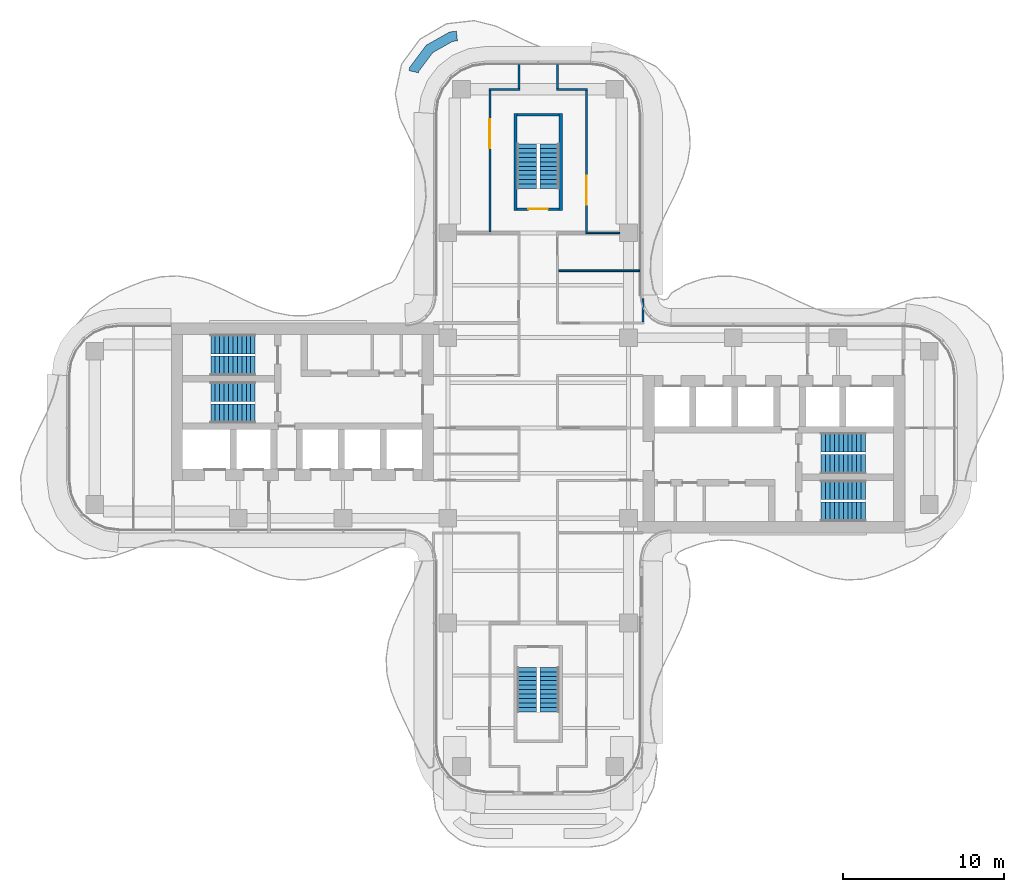
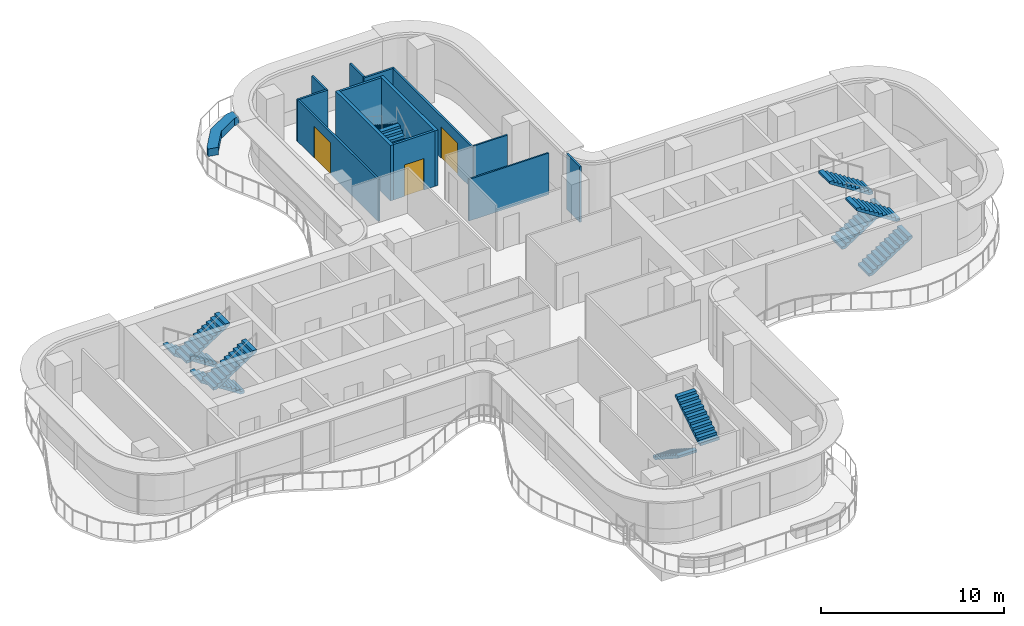
# One storey, part 15 of 17: 14 walls, 12 stair flights, 3 doors, 3 openings, 6 elements without a shape of their own.
"""IFC4 building model written with IfcOpenShell, lengths in metres."""

from ifc_helpers import new_model, si_unit, direction, frame, frame_2d, origin, place, context, subcontext, project, spatial, polyline, rectangle, outline, extrude, source, transform, mapped, material, layer, layer_set, type_object, element, fill, aggregate, save


model = new_model("IFC4")

# Units and contexts
model_context = context("Model", 3, precision=1e-05, world=origin(), true_north=direction((0.0, 1.0)))
body_context = subcontext(model_context, "Body", "Model", "MODEL_VIEW")
ifc_project = project(units=[si_unit("LENGTHUNIT", "METRE"), si_unit("AREAUNIT", "SQUARE_METRE"), si_unit("VOLUMEUNIT", "CUBIC_METRE"), si_unit("PLANEANGLEUNIT", "RADIAN"), si_unit("MASSUNIT", "GRAM", prefix="KILO")], contexts=[model_context])

# Site, building, storey
site_placement = place(None, origin())
site = spatial("IfcSite", under=ifc_project, at=site_placement, CompositionType="ELEMENT")
building_placement = place(site_placement, origin())
building = spatial("IfcBuilding", under=site, at=building_placement, Name="Trellis Farm Tower", CompositionType="ELEMENT")
storey_placement = place(building_placement, frame((0.0, 0.0, 244.10009765625)))
storey = spatial("IfcBuildingStorey", under=building, at=storey_placement, Name="L54", CompositionType="ELEMENT", Elevation=244.10009765625)

# Walls
ifc_material_1 = material(Name="Sandstone faced masonry planter", Category="masonry")
ifc_layer_1 = layer(ifc_material_1, 0.60009765625)
ifc_layer_set_1 = layer_set([ifc_layer_1], Name="PLANTER BED 600")
wall_type_1 = type_object("IfcWallType", Name="PLANTER BED 600", PredefinedType="USERDEFINED", material=ifc_layer_set_1)
placement = place(storey_placement, origin())
element("IfcWall", 1, at=placement, inside=storey, type_object=wall_type_1, Name="PLANTER bed", ObjectType="PLANTER", PredefinedType="USERDEFINED", context=body_context, shape_type="SweptSolid", body=[
    extrude(outline(polyline([(-6.941162109375, 23.7353515625), (-5.4921875, 24.555908203125), (-5.06982421875, 24.602294921875), (-5.004150390625, 24.005859375), (-5.303955078125, 23.972900390625), (-6.536376953125, 23.27490234375), (-7.405029296875, 22.117919921875), (-7.42578125, 22.025146484375), (-8.01123046875, 22.156005859375), (-7.96240234375, 22.37451171875), (-6.941162109375, 23.7353515625)])), origin(), (0.0, 0.0, 1.0), 0.5),
])
ifc_material_2 = material(Name="Concrete C60/75", Category="concrete")
ifc_layer_2 = layer(ifc_material_2, 0.199951171875)
ifc_layer_set_2 = layer_set([ifc_layer_2], Name="CORE STAIR ENCLOSURE WALL 200 CONCRETE C60/75")
wall_type_2 = type_object("IfcWallType", Name="CORE STAIR ENCLOSURE WALL 200 CONCRETE C60/75", PredefinedType="SHEAR", material=ifc_layer_set_2)
shared_shape_1 = source(origin(), body_context, "Body", "SweptSolid", [
    extrude(rectangle(XDim=6.0, YDim=0.199951171875, at=frame_2d((3.0, 0.0))), origin(), (0.0, 0.0, 1.0), 3.699951171875),
])
for number, where, z_axis, x_axis, name in (
    (2, (-1.39990234375, 13.5, 0.0), (0.0, 0.0, 1.0), (0.0, 1.0, 0.0), "Stair enclosure wall"),
    (3, (1.39990234375, 13.5, 0.0), (0.0, 0.0, 1.0), (0.0, 1.0, 0.0), "Stair enclosure wall"),
):
    element("IfcWall", number, at=place(storey_placement, frame(where, z_axis=z_axis, x_axis=x_axis)), inside=storey, type_object=wall_type_2, Name=name, PredefinedType="SHEAR", context=body_context, shape_type="MappedRepresentation", body=[
        mapped(shared_shape_1, transform((0.0, 0.0, 0.0))),
    ])

# Wall, opening, door
ifc_layer_3 = layer(ifc_material_2, 0.14990234375)
ifc_layer_set_3 = layer_set([ifc_layer_3], Name="CORE STAIR ENCLOSURE WALL 150 CONCRETE C60/75")
wall_type_3 = type_object("IfcWallType", Name="CORE STAIR ENCLOSURE WALL 150 CONCRETE C60/75", PredefinedType="SHEAR", material=ifc_layer_set_3)
shared_shape_2 = source(origin(), body_context, "Body", "SweptSolid", [
    extrude(rectangle(XDim=2.60009765625, YDim=0.14990234375, at=frame_2d((1.300048828125, 0.0))), origin(), (0.0, 0.0, 1.0), 3.699951171875),
])
wall_2_placement = place(storey_placement, frame((-1.300048828125, 13.574951171875, 0.0), z_axis=(0.0, 0.0, 1.0), x_axis=(1.0, 0.0, 0.0)))
wall_2 = element("IfcWall", 4, at=wall_2_placement, inside=storey, type_object=wall_type_3, Name="Stair enclosure wall", PredefinedType="SHEAR", context=body_context, shape_type="MappedRepresentation", body=[
    mapped(shared_shape_2, transform((0.0, 0.0, 0.0))),
])
shared_shape_3 = source(origin(), body_context, "Body", "SweptSolid", [
    extrude(rectangle(XDim=1.199951171875, YDim=2.10009765625, at=frame_2d((0.60009765625, 1.050048828125))), frame((0.0, 0.0849609375, 0.0), z_axis=(0.0, -1.0, 0.0), x_axis=(1.0, 0.0, 0.0)), (0.0, 0.0, 1.0), 0.169921875),
])
opening_1_placement = place(wall_2_placement, frame((0.699951171875, 0.0, 0.0)))
opening_1 = element("IfcOpeningElement", 5, at=opening_1_placement, cuts=wall_2, Name="Opening DC173", PredefinedType="OPENING", context=body_context, shape_type="MappedRepresentation", body=[
    mapped(shared_shape_3, transform((0.0, 0.0, 0.0))),
])
ifc_material_3 = material(Name="Steel", Category="steel")
door_type_1 = type_object("IfcDoorType", Name="CORE FIRE DOOR 1200 X 2100", OperationType="NOTDEFINED", PredefinedType="DOOR", material=ifc_material_3)
shared_shape_4 = source(origin(), body_context, "Body", "SweptSolid", [
    extrude(rectangle(XDim=1.199951171875, YDim=2.10009765625, at=frame_2d((0.60009765625, 1.050048828125))), frame((0.0, 0.02490234375, 0.0), z_axis=(0.0, -1.0, 0.0), x_axis=(1.0, 0.0, 0.0)), (0.0, 0.0, 1.0), 0.050048828125),
])
door_1_placement = place(opening_1_placement, origin())
door_1 = element("IfcDoor", 6, at=door_1_placement, inside=storey, type_object=door_type_1, Name="Core door", OperationType="SINGLE_SWING_LEFT", OverallHeight=2.10009765625, OverallWidth=1.199951171875, PredefinedType="DOOR", context=body_context, shape_type="MappedRepresentation", body=[
    mapped(shared_shape_4, transform((0.0, 0.0, 0.0))),
])
fill(opening_1, door_1)

# Walls
wall_3_placement = place(storey_placement, frame((-1.300048828125, 19.425048828125, 0.0), z_axis=(0.0, 0.0, 1.0), x_axis=(1.0, 0.0, 0.0)))
element("IfcWall", 7, at=wall_3_placement, inside=storey, type_object=wall_type_3, Name="Stair enclosure wall", PredefinedType="SHEAR", context=body_context, shape_type="MappedRepresentation", body=[
    mapped(shared_shape_2, transform((0.0, 0.0, 0.0))),
])
ifc_material_4 = material(Name="Plasterboard on steel studs, mineral wool", Category="steel")
ifc_layer_4 = layer(ifc_material_4, 0.125)
ifc_layer_set_4 = layer_set([ifc_layer_4], Name="PARTITION 125 STUD EI 60")
wall_type_4 = type_object("IfcWallType", Name="PARTITION 125 STUD EI 60", PredefinedType="PARTITIONING", material=ifc_layer_set_4)
shared_shape_5 = source(origin(), body_context, "Body", "SweptSolid", [
    extrude(rectangle(XDim=1.468994140625, YDim=0.125, at=frame_2d((0.734375, 0.0))), origin(), (0.0, 0.0, 1.0), 3.699951171875),
])
wall_4_placement = place(storey_placement, frame((6.5, 6.5625, 0.0), z_axis=(0.0, 0.0, 1.0), x_axis=(0.0, 1.0, 0.0)))
element("IfcWall", 8, at=wall_4_placement, inside=storey, type_object=wall_type_4, Name="Partition PW1", PredefinedType="PARTITIONING", context=body_context, shape_type="MappedRepresentation", body=[
    mapped(shared_shape_5, transform((0.0, 0.0, 0.0))),
])
ifc_material_5 = material(Name="Plasterboard on steel studs", Category="steel")
ifc_layer_5 = layer(ifc_material_5, 0.10009765625)
ifc_layer_set_5 = layer_set([ifc_layer_5], Name="PARTITION 100 STUD EI 30")
wall_type_5 = type_object("IfcWallType", Name="PARTITION 100 STUD EI 30", PredefinedType="PARTITIONING", material=ifc_layer_set_5)
shared_shape_6 = source(origin(), body_context, "Body", "SweptSolid", [
    extrude(rectangle(XDim=5.03759765625, YDim=0.10009765625, at=frame_2d((2.518798828125, 0.0))), origin(), (0.0, 0.0, 1.0), 2.77978515625),
])
wall_5_placement = place(storey_placement, frame((1.262451171875, 9.75, 0.0), z_axis=(0.0, 0.0, 1.0), x_axis=(1.0, 0.0, 0.0)))
element("IfcWall", 9, at=wall_5_placement, inside=storey, type_object=wall_type_5, Name="Partition PW2", PredefinedType="PARTITIONING", context=body_context, shape_type="MappedRepresentation", body=[
    mapped(shared_shape_6, transform((0.0, 0.0, 0.0))),
])
shared_shape_7 = source(origin(), body_context, "Body", "SweptSolid", [
    extrude(rectangle(XDim=1.487548828125, YDim=0.125, at=frame_2d((0.74365234375, 0.0))), origin(), (0.0, 0.0, 1.0), 2.77978515625),
])
for number, where, z_axis, x_axis, name in (
    (10, (-1.199951171875, 22.550048828125, 0.0), (0.0, 0.0, 1.0), (0.0, -1.0, 0.0), "Partition PW1"),
    (11, (1.199951171875, 22.550048828125, 0.0), (0.0, 0.0, 1.0), (0.0, -1.0, 0.0), "Partition PW1"),
):
    element("IfcWall", number, at=place(storey_placement, frame(where, z_axis=z_axis, x_axis=x_axis)), inside=storey, type_object=wall_type_4, Name=name, PredefinedType="PARTITIONING", context=body_context, shape_type="MappedRepresentation", body=[
        mapped(shared_shape_7, transform((0.0, 0.0, 0.0))),
    ])
shared_shape_8 = source(origin(), body_context, "Body", "SweptSolid", [
    extrude(rectangle(XDim=1.925048828125, YDim=0.125, at=frame_2d((0.96240234375, 0.0))), origin(), (0.0, 0.0, 1.0), 2.77978515625),
])
for number, where, z_axis, x_axis, name in (
    (12, (-3.0625, 21.0, 0.0), (0.0, 0.0, 1.0), (1.0, 0.0, 0.0), "Partition PW1"),
    (13, (1.137451171875, 21.0, 0.0), (0.0, 0.0, 1.0), (1.0, 0.0, 0.0), "Partition PW1"),
):
    element("IfcWall", number, at=place(storey_placement, frame(where, z_axis=z_axis, x_axis=x_axis)), inside=storey, type_object=wall_type_4, Name=name, PredefinedType="PARTITIONING", context=body_context, shape_type="MappedRepresentation", body=[
        mapped(shared_shape_8, transform((0.0, 0.0, 0.0))),
    ])
shared_shape_9 = source(origin(), body_context, "Body", "SweptSolid", [
    extrude(rectangle(XDim=2.112548828125, YDim=0.10009765625, at=frame_2d((1.05615234375, 0.0))), origin(), (0.0, 0.0, 1.0), 2.99658203125),
])
wall_6_placement = place(storey_placement, frame((2.9375, 12.10009765625, 0.0), z_axis=(0.0, 0.0, 1.0), x_axis=(1.0, 0.0, 0.0)))
element("IfcWall", 14, at=wall_6_placement, inside=storey, type_object=wall_type_5, Name="Partition PW2", PredefinedType="PARTITIONING", context=body_context, shape_type="MappedRepresentation", body=[
    mapped(shared_shape_9, transform((0.0, 0.0, 0.0))),
])

# Wall, opening, door
shared_shape_10 = source(origin(), body_context, "Body", "SweptSolid", [
    extrude(rectangle(XDim=8.78759765625, YDim=0.125, at=frame_2d((4.393798828125, 0.0))), origin(), (0.0, 0.0, 1.0), 2.77978515625),
])
wall_7_placement = place(storey_placement, frame((-3.0, 12.14990234375, 0.0), z_axis=(0.0, 0.0, 1.0), x_axis=(0.0, 1.0, 0.0)))
wall_7 = element("IfcWall", 15, at=wall_7_placement, inside=storey, type_object=wall_type_4, Name="Partition PW1", PredefinedType="PARTITIONING", context=body_context, shape_type="MappedRepresentation", body=[
    mapped(shared_shape_10, transform((0.0, 0.0, 0.0))),
])
shared_shape_11 = source(origin(), body_context, "Body", "SweptSolid", [
    extrude(rectangle(XDim=1.800048828125, YDim=2.10009765625, at=frame_2d((0.89990234375, 1.050048828125))), frame((0.0, 0.072509765625, 0.0), z_axis=(0.0, -1.0, 0.0), x_axis=(1.0, 0.0, 0.0)), (0.0, 0.0, 1.0), 0.14501953125),
])
opening_2_placement = place(wall_7_placement, frame((5.199951171875, 0.0, 0.0)))
opening_2 = element("IfcOpeningElement", 16, at=opening_2_placement, cuts=wall_7, Name="Opening D205", PredefinedType="OPENING", context=body_context, shape_type="MappedRepresentation", body=[
    mapped(shared_shape_11, transform((0.0, 0.0, 0.0))),
])
ifc_material_6 = material(Name="Fire-rated timber door leaf in a hollow metal frame", Category="wood")
door_type_2 = type_object("IfcDoorType", Name="DOOR PAIR 1800x2100 FD30S", OperationType="NOTDEFINED", PredefinedType="DOOR", material=ifc_material_6)
shared_shape_12 = source(origin(), body_context, "Body", "SweptSolid", [
    extrude(rectangle(XDim=1.800048828125, YDim=2.10009765625, at=frame_2d((0.89990234375, 1.050048828125))), frame((0.0, 0.02490234375, 0.0), z_axis=(0.0, -1.0, 0.0), x_axis=(1.0, 0.0, 0.0)), (0.0, 0.0, 1.0), 0.050048828125),
])
door_2_placement = place(opening_2_placement, origin())
door_2 = element("IfcDoor", 17, at=door_2_placement, inside=storey, type_object=door_type_2, Name="Door D205", OperationType="DOUBLE_DOOR_SINGLE_SWING", OverallHeight=2.10009765625, OverallWidth=1.800048828125, PredefinedType="DOOR", context=body_context, shape_type="MappedRepresentation", body=[
    mapped(shared_shape_12, transform((0.0, 0.0, 0.0))),
])
fill(opening_2, door_2)

wall_8_placement = place(storey_placement, frame((3.0, 20.9375, 0.0), z_axis=(0.0, 0.0, 1.0), x_axis=(0.0, -1.0, 0.0)))
wall_8 = element("IfcWall", 18, at=wall_8_placement, inside=storey, type_object=wall_type_4, Name="Partition PW1", PredefinedType="PARTITIONING", context=body_context, shape_type="MappedRepresentation", body=[
    mapped(shared_shape_10, transform((0.0, 0.0, 0.0))),
])
opening_3_placement = place(wall_8_placement, frame((5.28759765625, 0.0, 0.0)))
opening_3 = element("IfcOpeningElement", 19, at=opening_3_placement, cuts=wall_8, Name="Opening D204", PredefinedType="OPENING", context=body_context, shape_type="MappedRepresentation", body=[
    mapped(shared_shape_11, transform((0.0, 0.0, 0.0))),
])
door_3_placement = place(opening_3_placement, origin())
door_3 = element("IfcDoor", 20, at=door_3_placement, inside=storey, type_object=door_type_2, Name="Door D204", OperationType="DOUBLE_DOOR_SINGLE_SWING", OverallHeight=2.10009765625, OverallWidth=1.800048828125, PredefinedType="DOOR", context=body_context, shape_type="MappedRepresentation", body=[
    mapped(shared_shape_12, transform((0.0, 0.0, 0.0))),
])
fill(opening_3, door_3)

# Stair, stair flights
ifc_material_7 = material(Name="Concrete C50/60", Category="concrete")
stair_type = type_object("IfcStairType", Name="CORE EXIT STAIR 22 RISERS 177 MM", PredefinedType="HALF_TURN_STAIR", material=ifc_material_7)
stair_1 = element("IfcStair", 21, at=placement, inside=storey, type_object=stair_type, Name="Exit stair N", PredefinedType="HALF_TURN_STAIR")
stair_flight_type = type_object("IfcStairFlightType", Name="STAIR FLIGHT 11 RISERS 177 MM", PredefinedType="STRAIGHT", material=ifc_material_7)
shared_shape_13 = source(origin(), body_context, "Body", "SweptSolid", [
    extrude(outline(polyline([(0.0, 0.0), (0.0, 0.17724609375), (0.27490234375, 0.17724609375), (0.27490234375, 0.3544921875), (0.550048828125, 0.3544921875), (0.550048828125, 0.53173828125), (0.824951171875, 0.53173828125), (0.824951171875, 0.708984375), (1.10009765625, 0.708984375), (1.10009765625, 0.886474609375), (1.375, 0.886474609375), (1.375, 1.063720703125), (1.64990234375, 1.063720703125), (1.64990234375, 1.240966796875), (1.925048828125, 1.240966796875), (1.925048828125, 1.418212890625), (2.199951171875, 1.418212890625), (2.199951171875, 1.595458984375), (2.47509765625, 1.595458984375), (2.47509765625, 1.772705078125), (2.75, 1.772705078125), (2.75, 1.949951171875), (2.75, 1.6181640625), (0.23974609375, 0.0), (0.0, 0.0)])), frame((0.0, 0.60009765625, 0.0), z_axis=(0.0, -1.0, 0.0), x_axis=(1.0, 0.0, 0.0)), (0.0, 0.0, 1.0), 1.199951171875),
])
stair_flight_1_placement = place(storey_placement, frame((0.699951171875, 14.85009765625, 0.0), z_axis=(0.0, 0.0, 1.0), x_axis=(0.0, 1.0, 0.0)))
stair_flight_1 = element("IfcStairFlight", 22, at=stair_flight_1_placement, type_object=stair_flight_type, Name="STN flight 1", NumberOfRisers=11, NumberOfTreads=10, PredefinedType="STRAIGHT", RiserHeight=0.177272727, TreadLength=0.275, context=body_context, shape_type="MappedRepresentation", body=[
    mapped(shared_shape_13, transform((0.0, 0.0, 0.0))),
])
stair_flight_2_placement = place(storey_placement, frame((-0.699951171875, 17.60009765625, 1.949951171875), z_axis=(0.0, 0.0, 1.0), x_axis=(0.0, -1.0, 0.0)))
stair_flight_2 = element("IfcStairFlight", 23, at=stair_flight_2_placement, type_object=stair_flight_type, Name="STN flight 2", NumberOfRisers=11, NumberOfTreads=10, PredefinedType="STRAIGHT", RiserHeight=0.177272727, TreadLength=0.275, context=body_context, shape_type="MappedRepresentation", body=[
    mapped(shared_shape_13, transform((0.0, 0.0, 0.0))),
])
aggregate(stair_1, [stair_flight_1, stair_flight_2])

stair_2 = element("IfcStair", 24, at=placement, inside=storey, type_object=stair_type, Name="Exit stair S", PredefinedType="HALF_TURN_STAIR")
stair_flight_3_placement = place(storey_placement, frame((-0.699951171875, -14.85009765625, 0.0), z_axis=(0.0, 0.0, 1.0), x_axis=(0.0, -1.0, 0.0)))
stair_flight_3 = element("IfcStairFlight", 25, at=stair_flight_3_placement, type_object=stair_flight_type, Name="STS flight 1", NumberOfRisers=11, NumberOfTreads=10, PredefinedType="STRAIGHT", RiserHeight=0.177272727, TreadLength=0.275, context=body_context, shape_type="MappedRepresentation", body=[
    mapped(shared_shape_13, transform((0.0, 0.0, 0.0))),
])
stair_flight_4_placement = place(storey_placement, frame((0.699951171875, -17.60009765625, 1.949951171875), z_axis=(0.0, 0.0, 1.0), x_axis=(0.0, 1.0, 0.0)))
stair_flight_4 = element("IfcStairFlight", 26, at=stair_flight_4_placement, type_object=stair_flight_type, Name="STS flight 2", NumberOfRisers=11, NumberOfTreads=10, PredefinedType="STRAIGHT", RiserHeight=0.177272727, TreadLength=0.275, context=body_context, shape_type="MappedRepresentation", body=[
    mapped(shared_shape_13, transform((0.0, 0.0, 0.0))),
])
aggregate(stair_2, [stair_flight_3, stair_flight_4])

stair_3 = element("IfcStair", 27, at=placement, inside=storey, type_object=stair_type, Name="Exit stair E1", PredefinedType="HALF_TURN_STAIR")
stair_flight_5_placement = place(storey_placement, frame((17.550048828125, -5.199951171875, 0.0), z_axis=(0.0, 0.0, 1.0), x_axis=(1.0, 0.0, 0.0)))
stair_flight_5 = element("IfcStairFlight", 28, at=stair_flight_5_placement, type_object=stair_flight_type, Name="STE1 flight 1", NumberOfRisers=11, NumberOfTreads=10, PredefinedType="STRAIGHT", RiserHeight=0.177272727, TreadLength=0.275, context=body_context, shape_type="MappedRepresentation", body=[
    mapped(shared_shape_13, transform((0.0, 0.0, 0.0))),
])
stair_flight_6_placement = place(storey_placement, frame((20.300048828125, -3.85009765625, 1.949951171875), z_axis=(0.0, 0.0, 1.0), x_axis=(-1.0, 0.0, 0.0)))
stair_flight_6 = element("IfcStairFlight", 29, at=stair_flight_6_placement, type_object=stair_flight_type, Name="STE1 flight 2", NumberOfRisers=11, NumberOfTreads=10, PredefinedType="STRAIGHT", RiserHeight=0.177272727, TreadLength=0.275, context=body_context, shape_type="MappedRepresentation", body=[
    mapped(shared_shape_13, transform((0.0, 0.0, 0.0))),
])
aggregate(stair_3, [stair_flight_5, stair_flight_6])

stair_4 = element("IfcStair", 30, at=placement, inside=storey, type_object=stair_type, Name="Exit stair E2", PredefinedType="HALF_TURN_STAIR")
stair_flight_7_placement = place(storey_placement, frame((17.550048828125, -2.25, 0.0), z_axis=(0.0, 0.0, 1.0), x_axis=(1.0, 0.0, 0.0)))
stair_flight_7 = element("IfcStairFlight", 31, at=stair_flight_7_placement, type_object=stair_flight_type, Name="STE2 flight 1", NumberOfRisers=11, NumberOfTreads=10, PredefinedType="STRAIGHT", RiserHeight=0.177272727, TreadLength=0.275, context=body_context, shape_type="MappedRepresentation", body=[
    mapped(shared_shape_13, transform((0.0, 0.0, 0.0))),
])
stair_flight_8_placement = place(storey_placement, frame((20.300048828125, -0.89990234375, 1.949951171875), z_axis=(0.0, 0.0, 1.0), x_axis=(-1.0, 0.0, 0.0)))
stair_flight_8 = element("IfcStairFlight", 32, at=stair_flight_8_placement, type_object=stair_flight_type, Name="STE2 flight 2", NumberOfRisers=11, NumberOfTreads=10, PredefinedType="STRAIGHT", RiserHeight=0.177272727, TreadLength=0.275, context=body_context, shape_type="MappedRepresentation", body=[
    mapped(shared_shape_13, transform((0.0, 0.0, 0.0))),
])
aggregate(stair_4, [stair_flight_7, stair_flight_8])

stair_5 = element("IfcStair", 33, at=placement, inside=storey, type_object=stair_type, Name="Exit stair W1", PredefinedType="HALF_TURN_STAIR")
stair_flight_9_placement = place(storey_placement, frame((-17.550048828125, 5.199951171875, 0.0), z_axis=(0.0, 0.0, 1.0), x_axis=(-1.0, 0.0, 0.0)))
stair_flight_9 = element("IfcStairFlight", 34, at=stair_flight_9_placement, type_object=stair_flight_type, Name="STW1 flight 1", NumberOfRisers=11, NumberOfTreads=10, PredefinedType="STRAIGHT", RiserHeight=0.177272727, TreadLength=0.275, context=body_context, shape_type="MappedRepresentation", body=[
    mapped(shared_shape_13, transform((0.0, 0.0, 0.0))),
])
stair_flight_10_placement = place(storey_placement, frame((-20.300048828125, 3.85009765625, 1.949951171875), z_axis=(0.0, 0.0, 1.0), x_axis=(1.0, 0.0, 0.0)))
stair_flight_10 = element("IfcStairFlight", 35, at=stair_flight_10_placement, type_object=stair_flight_type, Name="STW1 flight 2", NumberOfRisers=11, NumberOfTreads=10, PredefinedType="STRAIGHT", RiserHeight=0.177272727, TreadLength=0.275, context=body_context, shape_type="MappedRepresentation", body=[
    mapped(shared_shape_13, transform((0.0, 0.0, 0.0))),
])
aggregate(stair_5, [stair_flight_9, stair_flight_10])

stair_6 = element("IfcStair", 36, at=placement, inside=storey, type_object=stair_type, Name="Exit stair W2", PredefinedType="HALF_TURN_STAIR")
stair_flight_11_placement = place(storey_placement, frame((-17.550048828125, 2.25, 0.0), z_axis=(0.0, 0.0, 1.0), x_axis=(-1.0, 0.0, 0.0)))
stair_flight_11 = element("IfcStairFlight", 37, at=stair_flight_11_placement, type_object=stair_flight_type, Name="STW2 flight 1", NumberOfRisers=11, NumberOfTreads=10, PredefinedType="STRAIGHT", RiserHeight=0.177272727, TreadLength=0.275, context=body_context, shape_type="MappedRepresentation", body=[
    mapped(shared_shape_13, transform((0.0, 0.0, 0.0))),
])
stair_flight_12_placement = place(storey_placement, frame((-20.300048828125, 0.89990234375, 1.949951171875), z_axis=(0.0, 0.0, 1.0), x_axis=(1.0, 0.0, 0.0)))
stair_flight_12 = element("IfcStairFlight", 38, at=stair_flight_12_placement, type_object=stair_flight_type, Name="STW2 flight 2", NumberOfRisers=11, NumberOfTreads=10, PredefinedType="STRAIGHT", RiserHeight=0.177272727, TreadLength=0.275, context=body_context, shape_type="MappedRepresentation", body=[
    mapped(shared_shape_13, transform((0.0, 0.0, 0.0))),
])
aggregate(stair_6, [stair_flight_11, stair_flight_12])

save(model, "model.ifc")
